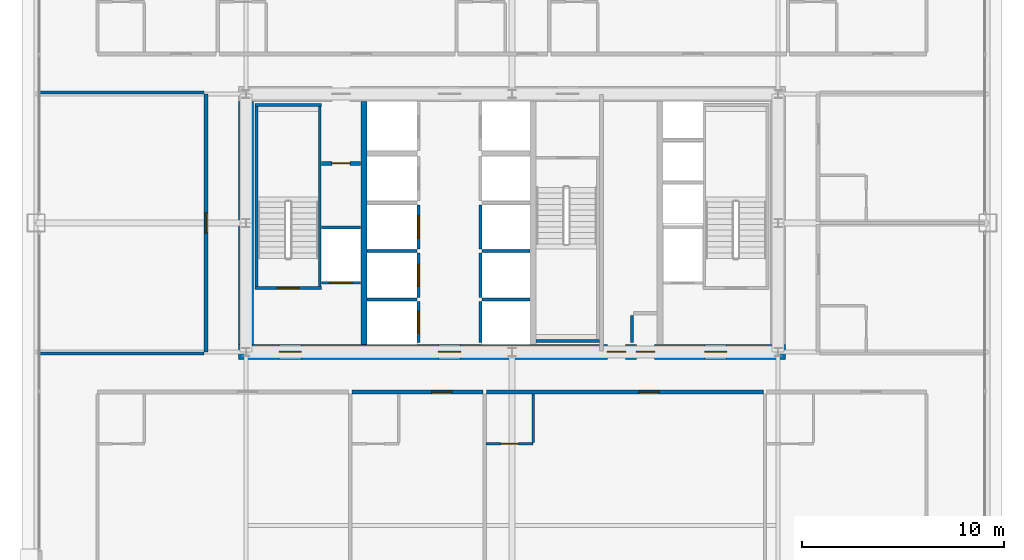
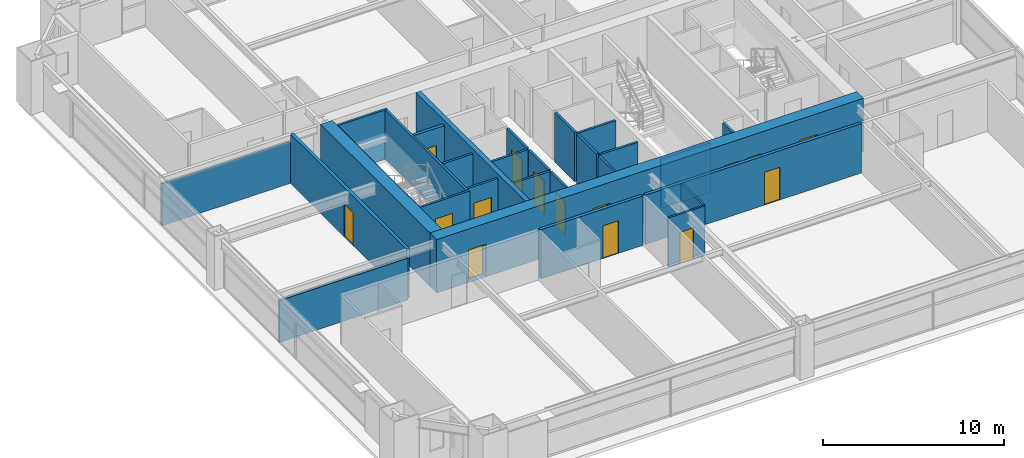
# One storey, part 34 of 38: 29 walls, 15 doors, 15 openings.
"""IFC4 building model written with IfcOpenShell, lengths in metres."""

from ifc_helpers import new_model, si_unit, direction, frame, frame_2d, origin, place, context, subcontext, project, spatial, rectangle, extrude, source, transform, mapped, material, layer, layer_set, type_object, element, fill, save


model = new_model("IFC4")

# Units and contexts
model_context = context("Model", 3, precision=1e-05, world=origin(), true_north=direction((0.0, 1.0)))
body_context = subcontext(model_context, "Body", "Model", "MODEL_VIEW")
ifc_project = project(units=[si_unit("LENGTHUNIT", "METRE"), si_unit("AREAUNIT", "SQUARE_METRE"), si_unit("VOLUMEUNIT", "CUBIC_METRE"), si_unit("PLANEANGLEUNIT", "RADIAN"), si_unit("MASSUNIT", "GRAM", prefix="KILO"), si_unit("THERMODYNAMICTEMPERATUREUNIT", "KELVIN"), si_unit("POWERUNIT", "WATT")], contexts=[model_context])

# Site, building, storey
site_placement = place(None, origin())
site = spatial("IfcSite", under=ifc_project, at=site_placement, CompositionType="ELEMENT")
building_placement = place(site_placement, origin())
building = spatial("IfcBuilding", under=site, at=building_placement, Name="Yuzanri Waterfront Tower", CompositionType="ELEMENT")
storey_placement = place(building_placement, frame((0.0, 0.0, 126.199951171875)))
storey = spatial("IfcBuildingStorey", under=building, at=storey_placement, Name="L33", CompositionType="ELEMENT", Elevation=126.199951171875)

# Wall, opening, door
ifc_material_1 = material(Name="Moisture-Resistant Gypsum Stud Wall", Category="gypsum")
ifc_layer_1 = layer(ifc_material_1, 0.1201171875)
ifc_layer_set_1 = layer_set([ifc_layer_1], Name="Moisture-Resistant Gypsum Stud Wall")
wall_type_1 = type_object("IfcWallType", Name="Bathroom and Kitchen Wet Partition 120", PredefinedType="PARTITIONING", material=ifc_layer_set_1)
wall_1_placement = place(storey_placement, frame((35.722900390625, 14.840087890625, 0.0), z_axis=(0.0, 0.0, 1.0), x_axis=(1.0, 0.0, 0.0)))
wall_1 = element("IfcWall", 1, at=wall_1_placement, inside=storey, type_object=wall_type_1, Name="L33 Partition UW-L33-S3-BS", PredefinedType="PARTITIONING", context=body_context, shape_type="SweptSolid", body=[
    extrude(rectangle(XDim=2.330078125, YDim=0.1201171875, at=frame_2d((1.1650390625, 0.0))), origin(), (0.0, 0.0, 1.0), 3.320068359375),
])
opening_1_placement = place(wall_1_placement, frame((0.739990234375, 0.0, 0.0)))
opening_1 = element("IfcOpeningElement", 2, at=opening_1_placement, cuts=wall_1, Name="Opening ID-0850", PredefinedType="OPENING", context=body_context, shape_type="SweptSolid", body=[
    extrude(rectangle(XDim=0.85009765625, YDim=2.10009765625, at=frame_2d((0.425048828125, 1.050048828125))), frame((0.0, 0.074951171875, 0.0), z_axis=(0.0, -1.0, 0.0), x_axis=(1.0, 0.0, 0.0)), (0.0, 0.0, 1.0), 0.14990234375),
])
ifc_material_2 = material(Name="Moisture-Resistant Lacquered Timber", Category="wood")
door_type_1 = type_object("IfcDoorType", Name="En-Suite Bathroom and Kitchen Swing Door 850x2100", OperationType="NOTDEFINED", PredefinedType="DOOR", material=ifc_material_2)
shared_shape_1 = source(origin(), body_context, "Body", "SweptSolid", [
    extrude(rectangle(XDim=0.85009765625, YDim=2.10009765625, at=frame_2d((0.425048828125, 1.050048828125))), frame((0.0, 0.02490234375, 0.0), z_axis=(0.0, -1.0, 0.0), x_axis=(1.0, 0.0, 0.0)), (0.0, 0.0, 1.0), 0.050048828125),
])
door_1_placement = place(opening_1_placement, origin())
door_1 = element("IfcDoor", 3, at=door_1_placement, inside=storey, type_object=door_type_1, Name="L33 Guest En-Suite Door", OperationType="SINGLE_SWING_LEFT", OverallHeight=2.10009765625, OverallWidth=0.85009765625, PredefinedType="DOOR", context=body_context, shape_type="MappedRepresentation", body=[
    mapped(shared_shape_1, transform((0.0, 0.0, 0.0), scale=1.0)),
])
fill(opening_1, door_1)

# Wall, openings, doors
ifc_material_3 = material(Name="Concrete C55", Category="concrete")
ifc_layer_2 = layer(ifc_material_3, 0.75)
ifc_layer_set_2 = layer_set([ifc_layer_2], Name="Concrete C55")
wall_type_2 = type_object("IfcWallType", Name="Concrete C55 Low-Mid Zone Core Shear Wall 750", PredefinedType="SHEAR", material=ifc_layer_set_2)
wall_2_placement = place(storey_placement, frame((23.425048828125, 19.39990234375, 0.0), z_axis=(0.0, 0.0, 1.0), x_axis=(1.0, 0.0, 0.0)))
wall_2 = element("IfcWall", 4, at=wall_2_placement, inside=storey, type_object=wall_type_2, Name="L33 Core South Shear Wall", PredefinedType="SHEAR", context=body_context, shape_type="SweptSolid", body=[
    extrude(rectangle(XDim=27.14990234375, YDim=0.75, at=frame_2d((13.574951171875, 0.0))), origin(), (0.0, 0.0, 1.0), 3.60009765625),
])
opening_2_placement = place(wall_2_placement, frame((2.02490234375, 0.0, 0.0)))
opening_2 = element("IfcOpeningElement", 5, at=opening_2_placement, cuts=wall_2, Name="Opening FD-1100", PredefinedType="OPENING", context=body_context, shape_type="SweptSolid", body=[
    extrude(rectangle(XDim=1.10009765625, YDim=2.199951171875, at=frame_2d((0.550048828125, 1.10009765625))), frame((0.0, 0.389892578125, 0.0), z_axis=(0.0, -1.0, 0.0), x_axis=(1.0, 0.0, 0.0)), (0.0, 0.0, 1.0), 0.77978515625),
])
opening_3_placement = place(wall_2_placement, frame((9.925048828125, 0.0, 0.0)))
opening_3 = element("IfcOpeningElement", 6, at=opening_3_placement, cuts=wall_2, Name="Opening FD-1100", PredefinedType="OPENING", context=body_context, shape_type="SweptSolid", body=[
    extrude(rectangle(XDim=1.10009765625, YDim=2.199951171875, at=frame_2d((0.550048828125, 1.10009765625))), frame((0.0, 0.389892578125, 0.0), z_axis=(0.0, -1.0, 0.0), x_axis=(1.0, 0.0, 0.0)), (0.0, 0.0, 1.0), 0.77978515625),
])
opening_4_placement = place(wall_2_placement, frame((23.125, 0.0, 0.0)))
opening_4 = element("IfcOpeningElement", 7, at=opening_4_placement, cuts=wall_2, Name="Opening FD-1100", PredefinedType="OPENING", context=body_context, shape_type="SweptSolid", body=[
    extrude(rectangle(XDim=1.10009765625, YDim=2.199951171875, at=frame_2d((0.550048828125, 1.10009765625))), frame((0.0, 0.389892578125, 0.0), z_axis=(0.0, -1.0, 0.0), x_axis=(1.0, 0.0, 0.0)), (0.0, 0.0, 1.0), 0.77978515625),
])
opening_5_placement = place(wall_2_placement, frame((19.7451171875, 0.0, 0.0)))
opening_5 = element("IfcOpeningElement", 8, at=opening_5_placement, cuts=wall_2, Name="Opening FD-0900", PredefinedType="OPENING", context=body_context, shape_type="SweptSolid", body=[
    extrude(rectangle(XDim=0.89990234375, YDim=2.14990234375, at=frame_2d((0.449951171875, 1.074951171875))), frame((0.0, 0.389892578125, 0.0), z_axis=(0.0, -1.0, 0.0), x_axis=(1.0, 0.0, 0.0)), (0.0, 0.0, 1.0), 0.77978515625),
])
opening_6_placement = place(wall_2_placement, frame((18.304931640625, 0.0, 0.0)))
opening_6 = element("IfcOpeningElement", 9, at=opening_6_placement, cuts=wall_2, Name="Opening FD-0900", PredefinedType="OPENING", context=body_context, shape_type="SweptSolid", body=[
    extrude(rectangle(XDim=0.89990234375, YDim=2.14990234375, at=frame_2d((0.449951171875, 1.074951171875))), frame((0.0, 0.389892578125, 0.0), z_axis=(0.0, -1.0, 0.0), x_axis=(1.0, 0.0, 0.0)), (0.0, 0.0, 1.0), 0.77978515625),
])
ifc_material_4 = material(Name="Painted Galvanized Fire Steel", Category="steel")
door_type_2 = type_object("IfcDoorType", Name="Smoke-Proof Stair and Lobby Fire Door 1100x2200", OperationType="NOTDEFINED", PredefinedType="DOOR", material=ifc_material_4)
shared_shape_2 = source(origin(), body_context, "Body", "SweptSolid", [
    extrude(rectangle(XDim=1.10009765625, YDim=2.199951171875, at=frame_2d((0.550048828125, 1.10009765625))), frame((0.0, 0.02490234375, 0.0), z_axis=(0.0, -1.0, 0.0), x_axis=(1.0, 0.0, 0.0)), (0.0, 0.0, 1.0), 0.050048828125),
])
door_2_placement = place(opening_2_placement, origin())
door_2 = element("IfcDoor", 10, at=door_2_placement, inside=storey, type_object=door_type_2, Name="L33 West Firefighting Lobby Door", OperationType="SINGLE_SWING_LEFT", OverallHeight=2.199951171875, OverallWidth=1.10009765625, PredefinedType="DOOR", context=body_context, shape_type="MappedRepresentation", body=[
    mapped(shared_shape_2, transform((0.0, 0.0, 0.0), scale=1.0)),
])
fill(opening_2, door_2)
door_3_placement = place(opening_3_placement, origin())
door_3 = element("IfcDoor", 11, at=door_3_placement, inside=storey, type_object=door_type_2, Name="L33 Central Lift Lobby South Door", OperationType="SINGLE_SWING_RIGHT", OverallHeight=2.199951171875, OverallWidth=1.10009765625, PredefinedType="DOOR", context=body_context, shape_type="MappedRepresentation", body=[
    mapped(shared_shape_2, transform((0.0, 0.0, 0.0), scale=1.0)),
])
fill(opening_3, door_3)
door_4_placement = place(opening_4_placement, origin())
door_4 = element("IfcDoor", 12, at=door_4_placement, inside=storey, type_object=door_type_2, Name="L33 East Firefighting Lobby Door", OperationType="SINGLE_SWING_LEFT", OverallHeight=2.199951171875, OverallWidth=1.10009765625, PredefinedType="DOOR", context=body_context, shape_type="MappedRepresentation", body=[
    mapped(shared_shape_2, transform((0.0, 0.0, 0.0), scale=1.0)),
])
fill(opening_4, door_4)
ifc_material_5 = material(Name="Painted Galvanized Fire Steel", Category="steel")
door_type_3 = type_object("IfcDoorType", Name="Riser and Service Room Fire Door 900x2150", OperationType="NOTDEFINED", PredefinedType="DOOR", material=ifc_material_5)
shared_shape_3 = source(origin(), body_context, "Body", "SweptSolid", [
    extrude(rectangle(XDim=0.89990234375, YDim=2.14990234375, at=frame_2d((0.449951171875, 1.074951171875))), frame((0.0, 0.02490234375, 0.0), z_axis=(0.0, -1.0, 0.0), x_axis=(1.0, 0.0, 0.0)), (0.0, 0.0, 1.0), 0.050048828125),
])
door_5_placement = place(opening_5_placement, origin())
door_5 = element("IfcDoor", 13, at=door_5_placement, inside=storey, type_object=door_type_3, Name="L33 East Wet Riser Door", OperationType="SINGLE_SWING_RIGHT", OverallHeight=2.14990234375, OverallWidth=0.89990234375, PredefinedType="DOOR", context=body_context, shape_type="MappedRepresentation", body=[
    mapped(shared_shape_3, transform((0.0, 0.0, 0.0), scale=1.0)),
])
fill(opening_5, door_5)
door_6_placement = place(opening_6_placement, origin())
door_6 = element("IfcDoor", 14, at=door_6_placement, inside=storey, type_object=door_type_3, Name="L33 Housekeeping Room", OperationType="SINGLE_SWING_LEFT", OverallHeight=2.14990234375, OverallWidth=0.89990234375, PredefinedType="DOOR", context=body_context, shape_type="MappedRepresentation", body=[
    mapped(shared_shape_3, transform((0.0, 0.0, 0.0), scale=1.0)),
])
fill(opening_6, door_6)

# Wall, opening, door
ifc_material_6 = material(Name="Concrete C40", Category="concrete")
ifc_layer_3 = layer(ifc_material_6, 0.139892578125)
ifc_layer_set_3 = layer_set([ifc_layer_3], Name="Concrete C40")
wall_type_3 = type_object("IfcWallType", Name="Core Stair Liner and Hoistway Shaft Wall 140", PredefinedType="SOLIDWALL", material=ifc_layer_set_3)
wall_3_placement = place(storey_placement, frame((27.56005859375, 22.830078125, 0.0), z_axis=(0.0, 0.0, 1.0), x_axis=(1.0, 0.0, 0.0)))
wall_3 = element("IfcWall", 15, at=wall_3_placement, inside=storey, type_object=wall_type_3, Name="L33 Lift FL-01 Front Shaft Wall", PredefinedType="SOLIDWALL", context=body_context, shape_type="SweptSolid", body=[
    extrude(rectangle(XDim=1.919921875, YDim=0.139892578125, at=frame_2d((0.9599609375, 0.0))), origin(), (0.0, 0.0, 1.0), 3.320068359375),
])
opening_7_placement = place(wall_3_placement, frame((0.409912109375, 0.0, 0.0)))
opening_7 = element("IfcOpeningElement", 16, at=opening_7_placement, cuts=wall_3, Name="Opening LD-FL-01", PredefinedType="OPENING", context=body_context, shape_type="SweptSolid", body=[
    extrude(rectangle(XDim=1.10009765625, YDim=2.199951171875, at=frame_2d((0.550048828125, 1.10009765625))), frame((0.0, 0.0849609375, 0.0), z_axis=(0.0, -1.0, 0.0), x_axis=(1.0, 0.0, 0.0)), (0.0, 0.0, 1.0), 0.169677734375),
])
ifc_material_7 = material(Name="Brushed Bronze and Stainless Steel Cab", Category="steel")
door_type_4 = type_object("IfcDoorType", Name="Center-Parting Bronze Lift Landing Sliding Door 1100x2200", OperationType="NOTDEFINED", PredefinedType="DOOR", material=ifc_material_7)
shared_shape_4 = source(origin(), body_context, "Body", "SweptSolid", [
    extrude(rectangle(XDim=1.10009765625, YDim=2.199951171875, at=frame_2d((0.550048828125, 1.10009765625))), frame((0.0, 0.02490234375, 0.0), z_axis=(0.0, -1.0, 0.0), x_axis=(1.0, 0.0, 0.0)), (0.0, 0.0, 1.0), 0.050048828125),
])
door_7_placement = place(opening_7_placement, origin())
door_7 = element("IfcDoor", 17, at=door_7_placement, inside=storey, type_object=door_type_4, Name="L33 FL-01 Lift Landing Sliding Door", OperationType="SLIDING_TO_LEFT", OverallHeight=2.199951171875, OverallWidth=1.10009765625, PredefinedType="DOOR", context=body_context, shape_type="MappedRepresentation", body=[
    mapped(shared_shape_4, transform((0.0, 0.0, 0.0), scale=1.0)),
])
fill(opening_7, door_7)

wall_4_placement = place(storey_placement, frame((32.3701171875, 19.860107421875, 0.0), z_axis=(0.0, 0.0, 1.0), x_axis=(0.0, 1.0, 0.0)))
wall_4 = element("IfcWall", 18, at=wall_4_placement, inside=storey, type_object=wall_type_3, Name="L33 Lift PL-01 Front Shaft Wall", PredefinedType="SOLIDWALL", context=body_context, shape_type="SweptSolid", body=[
    extrude(rectangle(XDim=2.039794921875, YDim=0.139892578125, at=frame_2d((1.02001953125, 0.0))), origin(), (0.0, 0.0, 1.0), 3.320068359375),
])
opening_8_placement = place(wall_4_placement, frame((0.469970703125, 0.0, 0.0)))
opening_8 = element("IfcOpeningElement", 19, at=opening_8_placement, cuts=wall_4, Name="Opening LD-PL-01", PredefinedType="OPENING", context=body_context, shape_type="SweptSolid", body=[
    extrude(rectangle(XDim=1.10009765625, YDim=2.199951171875, at=frame_2d((0.550048828125, 1.10009765625))), frame((0.0, 0.0849609375, 0.0), z_axis=(0.0, -1.0, 0.0), x_axis=(1.0, 0.0, 0.0)), (0.0, 0.0, 1.0), 0.169677734375),
])
door_8_placement = place(opening_8_placement, origin())
door_8 = element("IfcDoor", 20, at=door_8_placement, inside=storey, type_object=door_type_4, Name="L33 PL-01 Lift Landing Sliding Door", OperationType="SLIDING_TO_LEFT", OverallHeight=2.199951171875, OverallWidth=1.10009765625, PredefinedType="DOOR", context=body_context, shape_type="MappedRepresentation", body=[
    mapped(shared_shape_4, transform((0.0, 0.0, 0.0), scale=1.0)),
])
fill(opening_8, door_8)

wall_5_placement = place(storey_placement, frame((32.3701171875, 22.10009765625, 0.0), z_axis=(0.0, 0.0, 1.0), x_axis=(0.0, 1.0, 0.0)))
wall_5 = element("IfcWall", 21, at=wall_5_placement, inside=storey, type_object=wall_type_3, Name="L33 Lift PL-02 Front Shaft Wall", PredefinedType="SOLIDWALL", context=body_context, shape_type="SweptSolid", body=[
    extrude(rectangle(XDim=2.199951171875, YDim=0.139892578125, at=frame_2d((1.10009765625, 0.0))), origin(), (0.0, 0.0, 1.0), 3.320068359375),
])
opening_9_placement = place(wall_5_placement, frame((0.550048828125, 0.0, 0.0)))
opening_9 = element("IfcOpeningElement", 22, at=opening_9_placement, cuts=wall_5, Name="Opening LD-PL-02", PredefinedType="OPENING", context=body_context, shape_type="SweptSolid", body=[
    extrude(rectangle(XDim=1.10009765625, YDim=2.199951171875, at=frame_2d((0.550048828125, 1.10009765625))), frame((0.0, 0.0849609375, 0.0), z_axis=(0.0, -1.0, 0.0), x_axis=(1.0, 0.0, 0.0)), (0.0, 0.0, 1.0), 0.169677734375),
])
door_9_placement = place(opening_9_placement, origin())
door_9 = element("IfcDoor", 23, at=door_9_placement, inside=storey, type_object=door_type_4, Name="L33 PL-02 Lift Landing Sliding Door", OperationType="SLIDING_TO_RIGHT", OverallHeight=2.199951171875, OverallWidth=1.10009765625, PredefinedType="DOOR", context=body_context, shape_type="MappedRepresentation", body=[
    mapped(shared_shape_4, transform((0.0, 0.0, 0.0), scale=1.0)),
])
fill(opening_9, door_9)

wall_6_placement = place(storey_placement, frame((32.3701171875, 24.5, 0.0), z_axis=(0.0, 0.0, 1.0), x_axis=(0.0, 1.0, 0.0)))
wall_6 = element("IfcWall", 24, at=wall_6_placement, inside=storey, type_object=wall_type_3, Name="L33 Lift PL-03 Front Shaft Wall", PredefinedType="SOLIDWALL", context=body_context, shape_type="SweptSolid", body=[
    extrude(rectangle(XDim=2.199951171875, YDim=0.139892578125, at=frame_2d((1.10009765625, 0.0))), origin(), (0.0, 0.0, 1.0), 3.320068359375),
])
opening_10_placement = place(wall_6_placement, frame((0.550048828125, 0.0, 0.0)))
opening_10 = element("IfcOpeningElement", 25, at=opening_10_placement, cuts=wall_6, Name="Opening LD-PL-03", PredefinedType="OPENING", context=body_context, shape_type="SweptSolid", body=[
    extrude(rectangle(XDim=1.10009765625, YDim=2.199951171875, at=frame_2d((0.550048828125, 1.10009765625))), frame((0.0, 0.0849609375, 0.0), z_axis=(0.0, -1.0, 0.0), x_axis=(1.0, 0.0, 0.0)), (0.0, 0.0, 1.0), 0.169677734375),
])
door_10_placement = place(opening_10_placement, origin())
door_10 = element("IfcDoor", 26, at=door_10_placement, inside=storey, type_object=door_type_4, Name="L33 PL-03 Lift Landing Sliding Door", OperationType="SLIDING_TO_LEFT", OverallHeight=2.199951171875, OverallWidth=1.10009765625, PredefinedType="DOOR", context=body_context, shape_type="MappedRepresentation", body=[
    mapped(shared_shape_4, transform((0.0, 0.0, 0.0), scale=1.0)),
])
fill(opening_10, door_10)

wall_7_placement = place(storey_placement, frame((24.260009765625, 22.570068359375, 0.0), z_axis=(0.0, 0.0, 1.0), x_axis=(1.0, 0.0, 0.0)))
wall_7 = element("IfcWall", 27, at=wall_7_placement, inside=storey, type_object=wall_type_3, Name="L33 Shaft Wall STW-L33-ST-01-S", PredefinedType="SOLIDWALL", context=body_context, shape_type="SweptSolid", body=[
    extrude(rectangle(XDim=3.280029296875, YDim=0.139892578125, at=frame_2d((1.64013671875, 0.0))), origin(), (0.0, 0.0, 1.0), 3.320068359375),
])
opening_11_placement = place(wall_7_placement, frame((1.090087890625, 0.0, 0.0)))
opening_11 = element("IfcOpeningElement", 28, at=opening_11_placement, cuts=wall_7, Name="Opening FD-1100", PredefinedType="OPENING", context=body_context, shape_type="SweptSolid", body=[
    extrude(rectangle(XDim=1.10009765625, YDim=2.199951171875, at=frame_2d((0.550048828125, 1.10009765625))), frame((0.0, 0.0849609375, 0.0), z_axis=(0.0, -1.0, 0.0), x_axis=(1.0, 0.0, 0.0)), (0.0, 0.0, 1.0), 0.169677734375),
])
door_11_placement = place(opening_11_placement, origin())
door_11 = element("IfcDoor", 29, at=door_11_placement, inside=storey, type_object=door_type_2, Name="L33 Stair ST-01 Fire Door", OperationType="SINGLE_SWING_RIGHT", OverallHeight=2.199951171875, OverallWidth=1.10009765625, PredefinedType="DOOR", context=body_context, shape_type="MappedRepresentation", body=[
    mapped(shared_shape_2, transform((0.0, 0.0, 0.0), scale=1.0)),
])
fill(opening_11, door_11)

ifc_material_8 = material(Name="Autoclaved Aerated Concrete Blockwork", Category="masonry")
ifc_layer_4 = layer(ifc_material_8, 0.199951171875)
ifc_layer_set_4 = layer_set([ifc_layer_4], Name="Autoclaved Aerated Concrete Blockwork")
wall_type_4 = type_object("IfcWallType", Name="Corridor and Unit Party Fire Wall 200", PredefinedType="PARTITIONING", material=ifc_layer_set_4)
wall_8_placement = place(storey_placement, frame((27.56005859375, 28.75, 0.0), z_axis=(0.0, 0.0, 1.0), x_axis=(1.0, 0.0, 0.0)))
wall_8 = element("IfcWall", 30, at=wall_8_placement, inside=storey, type_object=wall_type_4, Name="L33 Partition CRW-L33-ERTR", PredefinedType="PARTITIONING", context=body_context, shape_type="SweptSolid", body=[
    extrude(rectangle(XDim=1.919921875, YDim=0.199951171875, at=frame_2d((0.9599609375, 0.0))), origin(), (0.0, 0.0, 1.0), 3.320068359375),
])
opening_12_placement = place(wall_8_placement, frame((0.510009765625, 0.0, 0.0)))
opening_12 = element("IfcOpeningElement", 31, at=opening_12_placement, cuts=wall_8, Name="Opening FD-0900", PredefinedType="OPENING", context=body_context, shape_type="SweptSolid", body=[
    extrude(rectangle(XDim=0.89990234375, YDim=2.14990234375, at=frame_2d((0.449951171875, 1.074951171875))), frame((0.0, 0.11474609375, 0.0), z_axis=(0.0, -1.0, 0.0), x_axis=(1.0, 0.0, 0.0)), (0.0, 0.0, 1.0), 0.229736328125),
])
door_12_placement = place(opening_12_placement, origin())
door_12 = element("IfcDoor", 32, at=door_12_placement, inside=storey, type_object=door_type_3, Name="L33 Electrical Riser Door", OperationType="SINGLE_SWING_LEFT", OverallHeight=2.14990234375, OverallWidth=0.89990234375, PredefinedType="DOOR", context=body_context, shape_type="MappedRepresentation", body=[
    mapped(shared_shape_3, transform((0.0, 0.0, 0.0), scale=1.0)),
])
fill(opening_12, door_12)

wall_9_placement = place(storey_placement, frame((29.06201171875, 17.419921875, 0.0), z_axis=(0.0, 0.0, 1.0), x_axis=(1.0, 0.0, 0.0)))
wall_9 = element("IfcWall", 33, at=wall_9_placement, inside=storey, type_object=wall_type_4, Name="L33 Partition UW-L33-S2-CN", PredefinedType="PARTITIONING", context=body_context, shape_type="SweptSolid", body=[
    extrude(rectangle(XDim=6.5009765625, YDim=0.199951171875, at=frame_2d((3.25048828125, 0.0))), origin(), (0.0, 0.0, 1.0), 3.320068359375),
])
opening_13_placement = place(wall_9_placement, frame((3.955078125, 0.0, 0.0)))
opening_13 = element("IfcOpeningElement", 34, at=opening_13_placement, cuts=wall_9, Name="Opening FD-1000", PredefinedType="OPENING", context=body_context, shape_type="SweptSolid", body=[
    extrude(rectangle(XDim=1.0, YDim=2.199951171875, at=frame_2d((0.5, 1.10009765625))), frame((0.0, 0.11474609375, 0.0), z_axis=(0.0, -1.0, 0.0), x_axis=(1.0, 0.0, 0.0)), (0.0, 0.0, 1.0), 0.229736328125),
])
ifc_material_9 = material(Name="Engineered Oak Fire-Rated Timber", Category="wood")
door_type_5 = type_object("IfcDoorType", Name="Guestroom and Apartment Entrance Fire Door 1000x2200", OperationType="NOTDEFINED", PredefinedType="DOOR", material=ifc_material_9)
shared_shape_5 = source(origin(), body_context, "Body", "SweptSolid", [
    extrude(rectangle(XDim=1.0, YDim=2.199951171875, at=frame_2d((0.5, 1.10009765625))), frame((0.0, 0.02490234375, 0.0), z_axis=(0.0, -1.0, 0.0), x_axis=(1.0, 0.0, 0.0)), (0.0, 0.0, 1.0), 0.050048828125),
])
door_13_placement = place(opening_13_placement, origin())
door_13 = element("IfcDoor", 35, at=door_13_placement, inside=storey, type_object=door_type_5, Name="L33 Presidential Riverfront Suite Entrance Door", OperationType="SINGLE_SWING_RIGHT", OverallHeight=2.199951171875, OverallWidth=1.0, PredefinedType="DOOR", context=body_context, shape_type="MappedRepresentation", body=[
    mapped(shared_shape_5, transform((0.0, 0.0, 0.0), scale=1.0)),
])
fill(opening_13, door_13)

wall_10_placement = place(storey_placement, frame((35.722900390625, 17.419921875, 0.0), z_axis=(0.0, 0.0, 1.0), x_axis=(1.0, 0.0, 0.0)))
wall_10 = element("IfcWall", 36, at=wall_10_placement, inside=storey, type_object=wall_type_4, Name="L33 Partition UW-L33-S3-CN", PredefinedType="PARTITIONING", context=body_context, shape_type="SweptSolid", body=[
    extrude(rectangle(XDim=13.739013671875, YDim=0.199951171875, at=frame_2d((6.86962890625, 0.0))), origin(), (0.0, 0.0, 1.0), 3.320068359375),
])
opening_14_placement = place(wall_10_placement, frame((7.573974609375, 0.0, 0.0)))
opening_14 = element("IfcOpeningElement", 37, at=opening_14_placement, cuts=wall_10, Name="Opening FD-1000", PredefinedType="OPENING", context=body_context, shape_type="SweptSolid", body=[
    extrude(rectangle(XDim=1.0, YDim=2.199951171875, at=frame_2d((0.5, 1.10009765625))), frame((0.0, 0.11474609375, 0.0), z_axis=(0.0, -1.0, 0.0), x_axis=(1.0, 0.0, 0.0)), (0.0, 0.0, 1.0), 0.229736328125),
])
door_14_placement = place(opening_14_placement, origin())
door_14 = element("IfcDoor", 38, at=door_14_placement, inside=storey, type_object=door_type_5, Name="L33 Presidential Riverfront Suite Entrance Door", OperationType="SINGLE_SWING_RIGHT", OverallHeight=2.199951171875, OverallWidth=1.0, PredefinedType="DOOR", context=body_context, shape_type="MappedRepresentation", body=[
    mapped(shared_shape_5, transform((0.0, 0.0, 0.0), scale=1.0)),
])
fill(opening_14, door_14)

wall_11_placement = place(storey_placement, frame((21.820068359375, 19.409912109375, 0.0), z_axis=(0.0, 0.0, 1.0), x_axis=(0.0, 1.0, 0.0)))
wall_11 = element("IfcWall", 39, at=wall_11_placement, inside=storey, type_object=wall_type_4, Name="L33 Partition UW-L33-W1-CW", PredefinedType="PARTITIONING", context=body_context, shape_type="SweptSolid", body=[
    extrude(rectangle(XDim=12.780029296875, YDim=0.199951171875, at=frame_2d((6.39013671875, 0.0))), origin(), (0.0, 0.0, 1.0), 3.320068359375),
])
opening_15_placement = place(wall_11_placement, frame((5.889892578125, 0.0, 0.0)))
opening_15 = element("IfcOpeningElement", 40, at=opening_15_placement, cuts=wall_11, Name="Opening FD-1000", PredefinedType="OPENING", context=body_context, shape_type="SweptSolid", body=[
    extrude(rectangle(XDim=1.0, YDim=2.199951171875, at=frame_2d((0.5, 1.10009765625))), frame((0.0, 0.11474609375, 0.0), z_axis=(0.0, -1.0, 0.0), x_axis=(1.0, 0.0, 0.0)), (0.0, 0.0, 1.0), 0.229736328125),
])
door_15_placement = place(opening_15_placement, origin())
door_15 = element("IfcDoor", 41, at=door_15_placement, inside=storey, type_object=door_type_5, Name="L33 West Banquet Dining Hall Entrance Door", OperationType="SINGLE_SWING_RIGHT", OverallHeight=2.199951171875, OverallWidth=1.0, PredefinedType="DOOR", context=body_context, shape_type="MappedRepresentation", body=[
    mapped(shared_shape_5, transform((0.0, 0.0, 0.0), scale=1.0)),
])
fill(opening_15, door_15)

# Walls
shared_shape_6 = source(origin(), body_context, "Body", "SweptSolid", [
    extrude(rectangle(XDim=12.050048828125, YDim=0.75, at=frame_2d((6.02490234375, 0.0))), origin(), (0.0, 0.0, 1.0), 3.60009765625),
])
wall_12_placement = place(storey_placement, frame((23.800048828125, 19.77490234375, 0.0), z_axis=(0.0, 0.0, 1.0), x_axis=(0.0, 1.0, 0.0)))
element("IfcWall", 42, at=wall_12_placement, inside=storey, type_object=wall_type_2, Name="L33 Core West Shear Wall", PredefinedType="SHEAR", context=body_context, shape_type="MappedRepresentation", body=[
    mapped(shared_shape_6, transform((0.0, 0.0, 0.0), scale=1.0)),
])
ifc_material_10 = material(Name="Concrete C50", Category="concrete")
ifc_layer_5 = layer(ifc_material_10, 0.300048828125)
ifc_layer_set_5 = layer_set([ifc_layer_5], Name="Concrete C50")
wall_type_5 = type_object("IfcWallType", Name="Concrete C50 Internal Core Shaft Structural Wall 300", PredefinedType="SOLIDWALL", material=ifc_layer_set_5)
shared_shape_7 = source(origin(), body_context, "Body", "SweptSolid", [
    extrude(rectangle(XDim=12.050048828125, YDim=0.300048828125, at=frame_2d((6.02490234375, 0.0))), origin(), (0.0, 0.0, 1.0), 3.60009765625),
])
wall_13_placement = place(storey_placement, frame((29.64990234375, 19.77490234375, 0.0), z_axis=(0.0, 0.0, 1.0), x_axis=(0.0, 1.0, 0.0)))
element("IfcWall", 43, at=wall_13_placement, inside=storey, type_object=wall_type_5, Name="L33 Core Internal Structural Web Wall 1", PredefinedType="SOLIDWALL", context=body_context, shape_type="MappedRepresentation", body=[
    mapped(shared_shape_7, transform((0.0, 0.0, 0.0), scale=1.0)),
])
shared_shape_8 = source(origin(), body_context, "Body", "SweptSolid", [
    extrude(rectangle(XDim=1.919921875, YDim=0.139892578125, at=frame_2d((0.9599609375, 0.0))), origin(), (0.0, 0.0, 1.0), 3.320068359375),
])
wall_14_placement = place(storey_placement, frame((27.56005859375, 25.570068359375, 0.0), z_axis=(0.0, 0.0, 1.0), x_axis=(1.0, 0.0, 0.0)))
element("IfcWall", 44, at=wall_14_placement, inside=storey, type_object=wall_type_3, Name="L33 Lift FL-01 Back Shaft Wall", PredefinedType="SOLIDWALL", context=body_context, shape_type="MappedRepresentation", body=[
    mapped(shared_shape_8, transform((0.0, 0.0, 0.0), scale=1.0)),
])
shared_shape_9 = source(origin(), body_context, "Body", "SweptSolid", [
    extrude(rectangle(XDim=2.5, YDim=0.139892578125, at=frame_2d((1.25, 0.0))), origin(), (0.0, 0.0, 1.0), 3.320068359375),
])
for number, where, z_axis, x_axis, name in (
    (45, (29.800048828125, 22.0, 0.0), (0.0, 0.0, 1.0), (1.0, 0.0, 0.0), "L33 Lift PL-01 Divider Wall"),
    (46, (29.800048828125, 24.39990234375, 0.0), (0.0, 0.0, 1.0), (1.0, 0.0, 0.0), "L33 Lift PL-02 Divider Wall"),
):
    element("IfcWall", number, at=place(storey_placement, frame(where, z_axis=z_axis, x_axis=x_axis)), inside=storey, type_object=wall_type_3, Name=name, PredefinedType="SOLIDWALL", context=body_context, shape_type="MappedRepresentation", body=[
        mapped(shared_shape_9, transform((0.0, 0.0, 0.0), scale=1.0)),
    ])
shared_shape_10 = source(origin(), body_context, "Body", "SweptSolid", [
    extrude(rectangle(XDim=2.039794921875, YDim=0.139892578125, at=frame_2d((1.02001953125, 0.0))), origin(), (0.0, 0.0, 1.0), 3.320068359375),
])
wall_15_placement = place(storey_placement, frame((35.429931640625, 19.860107421875, 0.0), z_axis=(0.0, 0.0, 1.0), x_axis=(0.0, 1.0, 0.0)))
element("IfcWall", 47, at=wall_15_placement, inside=storey, type_object=wall_type_3, Name="L33 Lift PL-05 Front Shaft Wall", PredefinedType="SOLIDWALL", context=body_context, shape_type="MappedRepresentation", body=[
    mapped(shared_shape_10, transform((0.0, 0.0, 0.0), scale=1.0)),
])
shared_shape_11 = source(origin(), body_context, "Body", "SweptSolid", [
    extrude(rectangle(XDim=2.39990234375, YDim=0.139892578125, at=frame_2d((1.199951171875, 0.0))), origin(), (0.0, 0.0, 1.0), 3.320068359375),
])
for number, where, z_axis, x_axis, name in (
    (48, (35.5, 22.0, 0.0), (0.0, 0.0, 1.0), (1.0, 0.0, 0.0), "L33 Lift PL-05 Divider Wall"),
    (49, (35.5, 24.39990234375, 0.0), (0.0, 0.0, 1.0), (1.0, 0.0, 0.0), "L33 Lift PL-06 Divider Wall"),
):
    element("IfcWall", number, at=place(storey_placement, frame(where, z_axis=z_axis, x_axis=x_axis)), inside=storey, type_object=wall_type_3, Name=name, PredefinedType="SOLIDWALL", context=body_context, shape_type="MappedRepresentation", body=[
        mapped(shared_shape_11, transform((0.0, 0.0, 0.0), scale=1.0)),
    ])
shared_shape_12 = source(origin(), body_context, "Body", "SweptSolid", [
    extrude(rectangle(XDim=2.199951171875, YDim=0.139892578125, at=frame_2d((1.10009765625, 0.0))), origin(), (0.0, 0.0, 1.0), 3.320068359375),
])
for number, where, z_axis, x_axis, name in (
    (50, (35.429931640625, 22.10009765625, 0.0), (0.0, 0.0, 1.0), (0.0, 1.0, 0.0), "L33 Lift PL-06 Front Shaft Wall"),
    (51, (35.429931640625, 24.5, 0.0), (0.0, 0.0, 1.0), (0.0, 1.0, 0.0), "L33 Lift PL-07 Front Shaft Wall"),
):
    element("IfcWall", number, at=place(storey_placement, frame(where, z_axis=z_axis, x_axis=x_axis)), inside=storey, type_object=wall_type_3, Name=name, PredefinedType="SOLIDWALL", context=body_context, shape_type="MappedRepresentation", body=[
        mapped(shared_shape_12, transform((0.0, 0.0, 0.0), scale=1.0)),
    ])
shared_shape_13 = source(origin(), body_context, "Body", "SweptSolid", [
    extrude(rectangle(XDim=3.280029296875, YDim=0.139892578125, at=frame_2d((1.64013671875, 0.0))), origin(), (0.0, 0.0, 1.0), 3.320068359375),
])
wall_16_placement = place(storey_placement, frame((24.260009765625, 31.64990234375, 0.0), z_axis=(0.0, 0.0, 1.0), x_axis=(1.0, 0.0, 0.0)))
element("IfcWall", 52, at=wall_16_placement, inside=storey, type_object=wall_type_3, Name="L33 Stair ST-01 North Shaft Wall", PredefinedType="SOLIDWALL", context=body_context, shape_type="MappedRepresentation", body=[
    mapped(shared_shape_13, transform((0.0, 0.0, 0.0), scale=1.0)),
])
shared_shape_14 = source(origin(), body_context, "Body", "SweptSolid", [
    extrude(rectangle(XDim=8.940185546875, YDim=0.139892578125, at=frame_2d((4.47021484375, 0.0))), origin(), (0.0, 0.0, 1.0), 3.320068359375),
])
for number, where, z_axis, x_axis, name in (
    (53, (24.330078125, 22.639892578125, 0.0), (0.0, 0.0, 1.0), (0.0, 1.0, 0.0), "L33 Stair ST-01 West Shaft Wall"),
    (54, (27.469970703125, 22.639892578125, 0.0), (0.0, 0.0, 1.0), (0.0, 1.0, 0.0), "L33 Stair ST-01 East Shaft Wall"),
):
    element("IfcWall", number, at=place(storey_placement, frame(where, z_axis=z_axis, x_axis=x_axis)), inside=storey, type_object=wall_type_3, Name=name, PredefinedType="SOLIDWALL", context=body_context, shape_type="MappedRepresentation", body=[
        mapped(shared_shape_14, transform((0.0, 0.0, 0.0), scale=1.0)),
    ])
shared_shape_15 = source(origin(), body_context, "Body", "SweptSolid", [
    extrude(rectangle(XDim=3.14013671875, YDim=0.139892578125, at=frame_2d((1.570068359375, 0.0))), origin(), (0.0, 0.0, 1.0), 3.320068359375),
])
wall_17_placement = place(storey_placement, frame((38.199951171875, 19.949951171875, 0.0), z_axis=(0.0, 0.0, 1.0), x_axis=(1.0, 0.0, 0.0)))
element("IfcWall", 55, at=wall_17_placement, inside=storey, type_object=wall_type_3, Name="L33 Stair ST-03 South Shaft Wall", PredefinedType="SOLIDWALL", context=body_context, shape_type="MappedRepresentation", body=[
    mapped(shared_shape_15, transform((0.0, 0.0, 0.0), scale=1.0)),
])
ifc_material_11 = material(Name="Gypsum Fireboard Acoustic Stud Wall", Category="gypsum")
ifc_layer_6 = layer(ifc_material_11, 0.159912109375)
ifc_layer_set_6 = layer_set([ifc_layer_6], Name="Gypsum Fireboard Acoustic Stud Wall")
wall_type_6 = type_object("IfcWallType", Name="Acoustic Suite Demising Partition 160", PredefinedType="PARTITIONING", material=ifc_layer_set_6)
shared_shape_16 = source(origin(), body_context, "Body", "SweptSolid", [
    extrude(rectangle(XDim=1.33984375, YDim=0.159912109375, at=frame_2d((0.669921875, 0.0))), origin(), (0.0, 0.0, 1.0), 3.320068359375),
])
wall_18_placement = place(storey_placement, frame((42.949951171875, 19.860107421875, 0.0), z_axis=(0.0, 0.0, 1.0), x_axis=(0.0, 1.0, 0.0)))
element("IfcWall", 56, at=wall_18_placement, inside=storey, type_object=wall_type_6, Name="L33 East Wet Riser West Wall", PredefinedType="PARTITIONING", context=body_context, shape_type="MappedRepresentation", body=[
    mapped(shared_shape_16, transform((0.0, 0.0, 0.0), scale=1.0)),
])
shared_shape_17 = source(origin(), body_context, "Body", "SweptSolid", [
    extrude(rectangle(XDim=2.420166015625, YDim=0.1201171875, at=frame_2d((1.2099609375, 0.0))), origin(), (0.0, 0.0, 1.0), 3.320068359375),
])
wall_19_placement = place(storey_placement, frame((38.052978515625, 14.89990234375, 0.0), z_axis=(0.0, 0.0, 1.0), x_axis=(0.0, 1.0, 0.0)))
element("IfcWall", 57, at=wall_19_placement, inside=storey, type_object=wall_type_1, Name="L33-S3 En-Suite Side Wall", PredefinedType="PARTITIONING", context=body_context, shape_type="MappedRepresentation", body=[
    mapped(shared_shape_17, transform((0.0, 0.0, 0.0), scale=1.0)),
])
shared_shape_18 = source(origin(), body_context, "Body", "SweptSolid", [
    extrude(rectangle(XDim=8.169921875, YDim=0.159912109375, at=frame_2d((4.0849609375, 0.0))), origin(), (0.0, 0.0, 1.0), 2.81494140625),
])
for number, where, z_axis, x_axis, name in (
    (58, (13.550048828125, 19.330078125, 0.0), (0.0, 0.0, 1.0), (1.0, 0.0, 0.0), "L33-W1 Wing South End Wall"),
    (59, (13.550048828125, 32.27001953125, 0.0), (0.0, 0.0, 1.0), (1.0, 0.0, 0.0), "L33-W1 Wing North End Wall"),
):
    element("IfcWall", number, at=place(storey_placement, frame(where, z_axis=z_axis, x_axis=x_axis)), inside=storey, type_object=wall_type_6, Name=name, PredefinedType="PARTITIONING", context=body_context, shape_type="MappedRepresentation", body=[
        mapped(shared_shape_18, transform((0.0, 0.0, 0.0), scale=1.0)),
    ])

save(model, "model.ifc")
